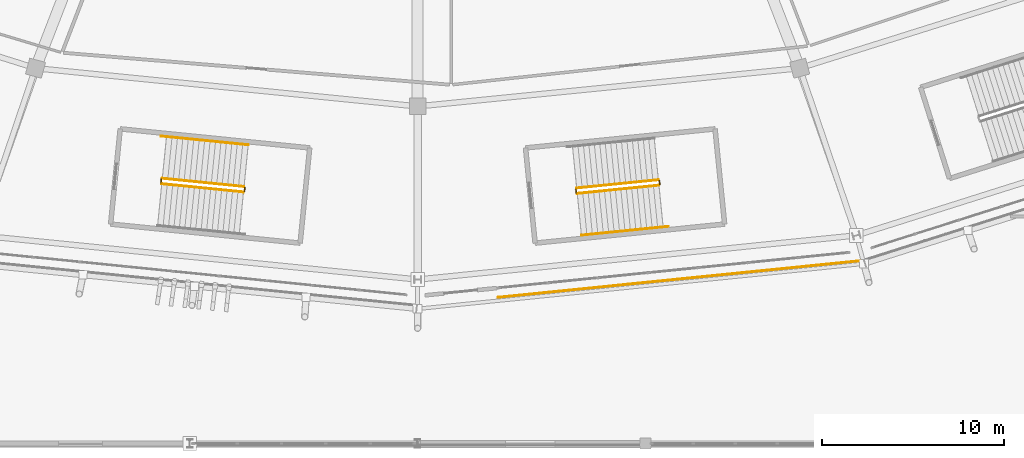
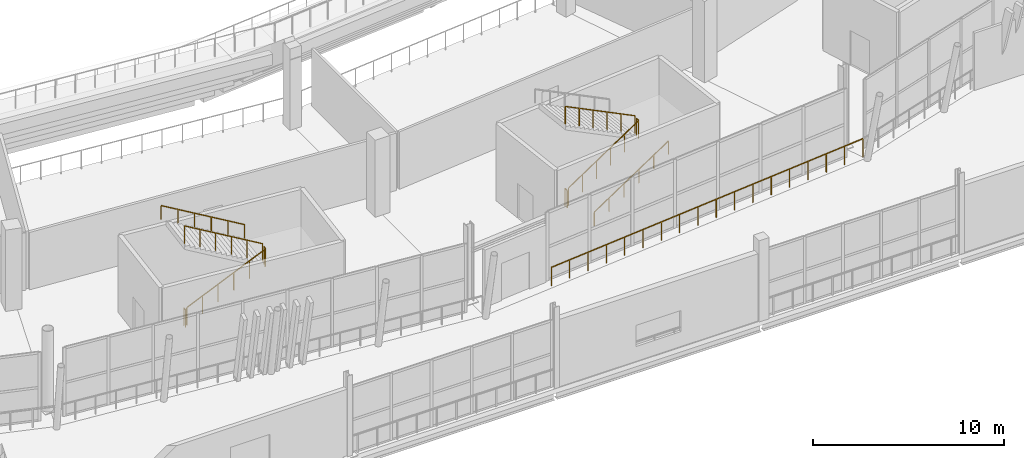
# One storey, part 149 of 178: 11 railings.
"""IFC4 building model written with IfcOpenShell, lengths in metres."""

from ifc_helpers import new_model, si_unit, direction, frame, origin, origin_2d, place, context, subcontext, project, spatial, rectangle, extrude, material, type_object, element, save


model = new_model("IFC4")

# Units and contexts
model_context = context("Model", 3, precision=1e-05, world=origin(), true_north=direction((0.0, 1.0)))
body_context = subcontext(model_context, "Body", "Model", "MODEL_VIEW")
ifc_project = project(units=[si_unit("LENGTHUNIT", "METRE"), si_unit("AREAUNIT", "SQUARE_METRE"), si_unit("VOLUMEUNIT", "CUBIC_METRE"), si_unit("PLANEANGLEUNIT", "RADIAN"), si_unit("MASSUNIT", "GRAM", prefix="KILO")], contexts=[model_context])

# Site, building, storey
site_placement = place(None, origin())
site = spatial("IfcSite", under=ifc_project, at=site_placement, CompositionType="ELEMENT")
building_placement = place(site_placement, origin())
building = spatial("IfcBuilding", under=site, at=building_placement, Name="Zlatoyarsky Gate Stadium", CompositionType="ELEMENT")
storey_placement = place(building_placement, frame((0.0, 0.0, 5.39990234375)))
storey = spatial("IfcBuildingStorey", under=building, at=storey_placement, Name="L01", CompositionType="ELEMENT", Elevation=5.39990234375)

# Railings
ifc_material_1 = material(Name="Powder-coated steel tubular guardrail", Category="steel")
railing_type_1 = type_object("IfcRailingType", Name="CONCOURSE SLAB EDGE GUARDRAIL 1200", PredefinedType="GUARDRAIL", material=ifc_material_1)
railing_1_placement = place(storey_placement, frame((115.427490234375, 8.0185546875, 0.0)))
element("IfcRailing", 1, at=railing_1_placement, inside=storey, type_object=railing_type_1, Name="L01 outer slab edge guardrail 18", PredefinedType="GUARDRAIL", context=body_context, shape_type="SweptSolid", body=[
    extrude(rectangle(XDim=0.048095703125, YDim=0.048095703125, at=origin_2d()), frame((0.0, 0.0, 1.17578125), z_axis=(0.994940706769, 0.100463874174, 0.0), x_axis=(-0.100463874174, 0.994940706769, 0.0)), (0.0, 0.0, 1.0), 20.1142578125),
    extrude(rectangle(XDim=0.0419921875, YDim=0.0419921875, at=origin_2d()), origin(), (0.0, 0.0, 1.0), 1.15185546875),
    extrude(rectangle(XDim=0.0419921875, YDim=0.0419921875, at=origin_2d()), frame((1.17724609375, 0.118896484375, 0.0)), (0.0, 0.0, 1.0), 1.15185546875),
    extrude(rectangle(XDim=0.0419921875, YDim=0.0419921875, at=origin_2d()), frame((2.3544921875, 0.23779296875, 0.0)), (0.0, 0.0, 1.0), 1.15185546875),
    extrude(rectangle(XDim=0.0419921875, YDim=0.0419921875, at=origin_2d()), frame((3.531494140625, 0.356689453125, 0.0)), (0.0, 0.0, 1.0), 1.15185546875),
    extrude(rectangle(XDim=0.0419921875, YDim=0.0419921875, at=origin_2d()), frame((4.708740234375, 0.4755859375, 0.0)), (0.0, 0.0, 1.0), 1.15185546875),
    extrude(rectangle(XDim=0.0419921875, YDim=0.0419921875, at=origin_2d()), frame((5.885986328125, 0.59423828125, 0.0)), (0.0, 0.0, 1.0), 1.15185546875),
    extrude(rectangle(XDim=0.0419921875, YDim=0.0419921875, at=origin_2d()), frame((7.063232421875, 0.713134765625, 0.0)), (0.0, 0.0, 1.0), 1.15185546875),
    extrude(rectangle(XDim=0.0419921875, YDim=0.0419921875, at=origin_2d()), frame((8.240478515625, 0.83203125, 0.0)), (0.0, 0.0, 1.0), 1.15185546875),
    extrude(rectangle(XDim=0.0419921875, YDim=0.0419921875, at=origin_2d()), frame((9.417724609375, 0.950927734375, 0.0)), (0.0, 0.0, 1.0), 1.15185546875),
    extrude(rectangle(XDim=0.0419921875, YDim=0.0419921875, at=origin_2d()), frame((10.5947265625, 1.06982421875, 0.0)), (0.0, 0.0, 1.0), 1.15185546875),
    extrude(rectangle(XDim=0.0419921875, YDim=0.0419921875, at=origin_2d()), frame((11.77197265625, 1.188720703125, 0.0)), (0.0, 0.0, 1.0), 1.15185546875),
    extrude(rectangle(XDim=0.0419921875, YDim=0.0419921875, at=origin_2d()), frame((12.94921875, 1.3076171875, 0.0)), (0.0, 0.0, 1.0), 1.15185546875),
    extrude(rectangle(XDim=0.0419921875, YDim=0.0419921875, at=origin_2d()), frame((14.12646484375, 1.426513671875, 0.0)), (0.0, 0.0, 1.0), 1.15185546875),
    extrude(rectangle(XDim=0.0419921875, YDim=0.0419921875, at=origin_2d()), frame((15.3037109375, 1.545166015625, 0.0)), (0.0, 0.0, 1.0), 1.15185546875),
    extrude(rectangle(XDim=0.0419921875, YDim=0.0419921875, at=origin_2d()), frame((16.48095703125, 1.6640625, 0.0)), (0.0, 0.0, 1.0), 1.15185546875),
    extrude(rectangle(XDim=0.0419921875, YDim=0.0419921875, at=origin_2d()), frame((17.657958984375, 1.782958984375, 0.0)), (0.0, 0.0, 1.0), 1.15185546875),
    extrude(rectangle(XDim=0.0419921875, YDim=0.0419921875, at=origin_2d()), frame((18.835205078125, 1.90185546875, 0.0)), (0.0, 0.0, 1.0), 1.15185546875),
    extrude(rectangle(XDim=0.0419921875, YDim=0.0419921875, at=origin_2d()), frame((20.012451171875, 2.020751953125, 0.0)), (0.0, 0.0, 1.0), 1.15185546875),
])
ifc_material_2 = material(Name="Powder-coated steel stair guardrail", Category="steel")
railing_type_2 = type_object("IfcRailingType", Name="PAINTED STEEL STAIR WELL GUARDRAIL 1150", PredefinedType="GUARDRAIL", material=ifc_material_2)
railing_2_placement = place(storey_placement, frame((119.760986328125, 13.717529296875, 0.16259765625)))
element("IfcRailing", 2, at=railing_2_placement, inside=storey, type_object=railing_type_2, Name="ST-10 L01 stair guard 1", PredefinedType="GUARDRAIL", context=body_context, shape_type="SweptSolid", body=[
    extrude(rectangle(XDim=0.048095703125, YDim=0.048095703125, at=origin_2d()), frame((0.0, 0.0, 1.1259765625), z_axis=(0.874889575762, 0.087918292701, 0.47627576469), x_axis=(-0.099987144365, 0.994988729063, 0.0)), (0.0, 0.0, 1.0), 5.117919921875),
    extrude(rectangle(XDim=0.0419921875, YDim=0.0419921875, at=origin_2d()), origin(), (0.0, 0.0, 1.0), 1.101806640625),
    extrude(rectangle(XDim=0.0419921875, YDim=0.0419921875, at=origin_2d()), frame((0.8955078125, 0.090087890625, 0.487548828125)), (0.0, 0.0, 1.0), 1.101806640625),
    extrude(rectangle(XDim=0.0419921875, YDim=0.0419921875, at=origin_2d()), frame((1.791015625, 0.179931640625, 0.97509765625)), (0.0, 0.0, 1.0), 1.101806640625),
    extrude(rectangle(XDim=0.0419921875, YDim=0.0419921875, at=origin_2d()), frame((2.6865234375, 0.27001953125, 1.46240234375)), (0.0, 0.0, 1.0), 1.101806640625),
    extrude(rectangle(XDim=0.0419921875, YDim=0.0419921875, at=origin_2d()), frame((3.58203125, 0.35986328125, 1.949951171875)), (0.0, 0.0, 1.0), 1.101806640625),
    extrude(rectangle(XDim=0.0419921875, YDim=0.0419921875, at=origin_2d()), frame((4.4775390625, 0.449951171875, 2.4375)), (0.0, 0.0, 1.0), 1.101806640625),
])
railing_3_placement = place(storey_placement, frame((124.283203125, 14.22216796875, 2.60009765625)))
element("IfcRailing", 3, at=railing_3_placement, inside=storey, type_object=railing_type_2, Name="ST-10 L01 stair guard 2", PredefinedType="GUARDRAIL", context=body_context, shape_type="SweptSolid", body=[
    extrude(rectangle(XDim=0.048095703125, YDim=0.048095703125, at=origin_2d()), frame((0.0, 0.0, 1.1259765625), z_axis=(-0.100108072026, 0.994976569531, 0.0), x_axis=(-0.994976569531, -0.100108072026, 0.0)), (0.0, 0.0, 1.0), 0.199951171875),
    extrude(rectangle(XDim=0.0419921875, YDim=0.0419921875, at=origin_2d()), origin(), (0.0, 0.0, 1.0), 1.101806640625),
    extrude(rectangle(XDim=0.0419921875, YDim=0.0419921875, at=origin_2d()), frame((-0.02001953125, 0.198974609375, 0.0)), (0.0, 0.0, 1.0), 1.101806640625),
])
railing_4_placement = place(storey_placement, frame((124.20849609375, 14.466064453125, 2.7626953125)))
element("IfcRailing", 4, at=railing_4_placement, inside=storey, type_object=railing_type_2, Name="ST-10 L01 stair guard 3", PredefinedType="GUARDRAIL", context=body_context, shape_type="SweptSolid", body=[
    extrude(rectangle(XDim=0.048095703125, YDim=0.048095703125, at=origin_2d()), frame((0.0, 0.0, 1.1259765625), z_axis=(-0.874874714683, -0.087969298974, 0.476293644768), x_axis=(0.100046254416, -0.994982787277, 0.0)), (0.0, 0.0, 1.0), 5.11767578125),
    extrude(rectangle(XDim=0.0419921875, YDim=0.0419921875, at=origin_2d()), origin(), (0.0, 0.0, 1.0), 1.101806640625),
    extrude(rectangle(XDim=0.0419921875, YDim=0.0419921875, at=origin_2d()), frame((-0.8955078125, -0.090087890625, 0.487548828125)), (0.0, 0.0, 1.0), 1.101806640625),
    extrude(rectangle(XDim=0.0419921875, YDim=0.0419921875, at=origin_2d()), frame((-1.791015625, -0.18017578125, 0.97509765625)), (0.0, 0.0, 1.0), 1.101806640625),
    extrude(rectangle(XDim=0.0419921875, YDim=0.0419921875, at=origin_2d()), frame((-2.686279296875, -0.27001953125, 1.46240234375)), (0.0, 0.0, 1.0), 1.101806640625),
    extrude(rectangle(XDim=0.0419921875, YDim=0.0419921875, at=origin_2d()), frame((-3.581787109375, -0.360107421875, 1.949951171875)), (0.0, 0.0, 1.0), 1.101806640625),
    extrude(rectangle(XDim=0.0419921875, YDim=0.0419921875, at=origin_2d()), frame((-4.477294921875, -0.4501953125, 2.4375)), (0.0, 0.0, 1.0), 1.101806640625),
])
railing_5_placement = place(storey_placement, frame((119.706298828125, 13.76220703125, 0.0)))
element("IfcRailing", 5, at=railing_5_placement, inside=storey, type_object=railing_type_2, Name="ST-10 L01 stair guard 4", PredefinedType="GUARDRAIL", context=body_context, shape_type="SweptSolid", body=[
    extrude(rectangle(XDim=0.048095703125, YDim=0.048095703125, at=origin_2d()), frame((0.0, 0.0, 1.1259765625), z_axis=(-0.100108072026, 0.994976569531, 0.0), x_axis=(-0.994976569531, -0.100108072026, 0.0)), (0.0, 0.0, 1.0), 0.199951171875),
    extrude(rectangle(XDim=0.0419921875, YDim=0.0419921875, at=origin_2d()), origin(), (0.0, 0.0, 1.0), 1.101806640625),
    extrude(rectangle(XDim=0.0419921875, YDim=0.0419921875, at=origin_2d()), frame((-0.02001953125, 0.198974609375, 0.0)), (0.0, 0.0, 1.0), 1.101806640625),
])
railing_6_placement = place(storey_placement, frame((96.96533203125, 14.247314453125, 0.16259765625)))
element("IfcRailing", 6, at=railing_6_placement, inside=storey, type_object=railing_type_2, Name="ST-19 L01 stair guard 1", PredefinedType="GUARDRAIL", context=body_context, shape_type="SweptSolid", body=[
    extrude(rectangle(XDim=0.048095703125, YDim=0.048095703125, at=origin_2d()), frame((0.0, 0.0, 1.1259765625), z_axis=(0.874889575762, -0.087918292701, 0.47627576469), x_axis=(0.099987144365, 0.994988729063, 0.0)), (0.0, 0.0, 1.0), 5.117919921875),
    extrude(rectangle(XDim=0.0419921875, YDim=0.0419921875, at=origin_2d()), origin(), (0.0, 0.0, 1.0), 1.101806640625),
    extrude(rectangle(XDim=0.0419921875, YDim=0.0419921875, at=origin_2d()), frame((0.8955078125, -0.090087890625, 0.487548828125)), (0.0, 0.0, 1.0), 1.101806640625),
    extrude(rectangle(XDim=0.0419921875, YDim=0.0419921875, at=origin_2d()), frame((1.791015625, -0.179931640625, 0.97509765625)), (0.0, 0.0, 1.0), 1.101806640625),
    extrude(rectangle(XDim=0.0419921875, YDim=0.0419921875, at=origin_2d()), frame((2.6865234375, -0.27001953125, 1.46240234375)), (0.0, 0.0, 1.0), 1.101806640625),
    extrude(rectangle(XDim=0.0419921875, YDim=0.0419921875, at=origin_2d()), frame((3.58203125, -0.35986328125, 1.949951171875)), (0.0, 0.0, 1.0), 1.101806640625),
    extrude(rectangle(XDim=0.0419921875, YDim=0.0419921875, at=origin_2d()), frame((4.4775390625, -0.449951171875, 2.4375)), (0.0, 0.0, 1.0), 1.101806640625),
])
railing_7_placement = place(storey_placement, frame((101.49755859375, 13.842041015625, 2.60009765625)))
element("IfcRailing", 7, at=railing_7_placement, inside=storey, type_object=railing_type_2, Name="ST-19 L01 stair guard 2", PredefinedType="GUARDRAIL", context=body_context, shape_type="SweptSolid", body=[
    extrude(rectangle(XDim=0.048095703125, YDim=0.048095703125, at=origin_2d()), frame((0.0, 0.0, 1.1259765625), z_axis=(0.100108072026, 0.994976569531, 0.0), x_axis=(-0.994976569531, 0.100108072026, 0.0)), (0.0, 0.0, 1.0), 0.199951171875),
    extrude(rectangle(XDim=0.0419921875, YDim=0.0419921875, at=origin_2d()), origin(), (0.0, 0.0, 1.0), 1.101806640625),
    extrude(rectangle(XDim=0.0419921875, YDim=0.0419921875, at=origin_2d()), frame((0.02001953125, 0.198974609375, 0.0)), (0.0, 0.0, 1.0), 1.101806640625),
])
railing_8_placement = place(storey_placement, frame((101.472900390625, 14.095947265625, 2.7626953125)))
element("IfcRailing", 8, at=railing_8_placement, inside=storey, type_object=railing_type_2, Name="ST-19 L01 stair guard 3", PredefinedType="GUARDRAIL", context=body_context, shape_type="SweptSolid", body=[
    extrude(rectangle(XDim=0.048095703125, YDim=0.048095703125, at=origin_2d()), frame((0.0, 0.0, 1.1259765625), z_axis=(-0.874889575762, 0.087918292701, 0.47627576469), x_axis=(-0.099987144365, -0.994988729063, 0.0)), (0.0, 0.0, 1.0), 5.117919921875),
    extrude(rectangle(XDim=0.0419921875, YDim=0.0419921875, at=origin_2d()), origin(), (0.0, 0.0, 1.0), 1.101806640625),
    extrude(rectangle(XDim=0.0419921875, YDim=0.0419921875, at=origin_2d()), frame((-0.8955078125, 0.090087890625, 0.487548828125)), (0.0, 0.0, 1.0), 1.101806640625),
    extrude(rectangle(XDim=0.0419921875, YDim=0.0419921875, at=origin_2d()), frame((-1.791015625, 0.179931640625, 0.97509765625)), (0.0, 0.0, 1.0), 1.101806640625),
    extrude(rectangle(XDim=0.0419921875, YDim=0.0419921875, at=origin_2d()), frame((-2.6865234375, 0.27001953125, 1.46240234375)), (0.0, 0.0, 1.0), 1.101806640625),
    extrude(rectangle(XDim=0.0419921875, YDim=0.0419921875, at=origin_2d()), frame((-3.58203125, 0.35986328125, 1.949951171875)), (0.0, 0.0, 1.0), 1.101806640625),
    extrude(rectangle(XDim=0.0419921875, YDim=0.0419921875, at=origin_2d()), frame((-4.4775390625, 0.449951171875, 2.4375)), (0.0, 0.0, 1.0), 1.101806640625),
])
railing_9_placement = place(storey_placement, frame((96.920654296875, 14.30224609375, 0.0)))
element("IfcRailing", 9, at=railing_9_placement, inside=storey, type_object=railing_type_2, Name="ST-19 L01 stair guard 4", PredefinedType="GUARDRAIL", context=body_context, shape_type="SweptSolid", body=[
    extrude(rectangle(XDim=0.048095703125, YDim=0.048095703125, at=origin_2d()), frame((0.0, 0.0, 1.1259765625), z_axis=(0.100108072026, 0.994976569531, 0.0), x_axis=(-0.994976569531, 0.100108072026, 0.0)), (0.0, 0.0, 1.0), 0.199951171875),
    extrude(rectangle(XDim=0.0419921875, YDim=0.0419921875, at=origin_2d()), origin(), (0.0, 0.0, 1.0), 1.101806640625),
    extrude(rectangle(XDim=0.0419921875, YDim=0.0419921875, at=origin_2d()), frame((0.02001953125, 0.198974609375, 0.0)), (0.0, 0.0, 1.0), 1.101806640625),
])
ifc_material_3 = material(Name="Brushed stainless steel 316 handrail", Category="steel")
railing_type_3 = type_object("IfcRailingType", Name="STAINLESS STEEL TUBULAR HANDRAIL 900", PredefinedType="HANDRAIL", material=ifc_material_3)
railing_10_placement = place(storey_placement, frame((119.9912109375, 11.428955078125, 0.16650390625)))
element("IfcRailing", 10, at=railing_10_placement, inside=storey, type_object=railing_type_3, Name="ST-10 L01 stair handrail 1", PredefinedType="HANDRAIL", context=body_context, shape_type="SweptSolid", body=[
    extrude(rectangle(XDim=0.048095703125, YDim=0.048095703125, at=origin_2d()), frame((0.0, 0.0, 0.8759765625), z_axis=(0.874874668659, 0.08792575394, 0.47630176982), x_axis=(-0.099997231792, 0.994987715318, 0.0)), (0.0, 0.0, 1.0), 5.458984375),
    extrude(rectangle(XDim=0.0419921875, YDim=0.0419921875, at=origin_2d()), origin(), (0.0, 0.0, 1.0), 0.851806640625),
    extrude(rectangle(XDim=0.0419921875, YDim=0.0419921875, at=origin_2d()), frame((0.955078125, 0.095947265625, 0.52001953125)), (0.0, 0.0, 1.0), 0.851806640625),
    extrude(rectangle(XDim=0.0419921875, YDim=0.0419921875, at=origin_2d()), frame((1.910400390625, 0.19189453125, 1.0400390625)), (0.0, 0.0, 1.0), 0.851806640625),
    extrude(rectangle(XDim=0.0419921875, YDim=0.0419921875, at=origin_2d()), frame((2.865478515625, 0.2880859375, 1.56005859375)), (0.0, 0.0, 1.0), 0.851806640625),
    extrude(rectangle(XDim=0.0419921875, YDim=0.0419921875, at=origin_2d()), frame((3.82080078125, 0.384033203125, 2.080078125)), (0.0, 0.0, 1.0), 0.851806640625),
    extrude(rectangle(XDim=0.0419921875, YDim=0.0419921875, at=origin_2d()), frame((4.77587890625, 0.47998046875, 2.60009765625)), (0.0, 0.0, 1.0), 0.851806640625),
])
railing_11_placement = place(storey_placement, frame((101.702880859375, 16.38427734375, 2.7666015625)))
element("IfcRailing", 11, at=railing_11_placement, inside=storey, type_object=railing_type_3, Name="ST-19 L01 stair handrail 2", PredefinedType="HANDRAIL", context=body_context, shape_type="SweptSolid", body=[
    extrude(rectangle(XDim=0.048095703125, YDim=0.048095703125, at=origin_2d()), frame((0.0, 0.0, 0.8759765625), z_axis=(-0.874874668659, 0.08792575394, 0.47630176982), x_axis=(-0.099997231792, -0.994987715318, 0.0)), (0.0, 0.0, 1.0), 5.458984375),
    extrude(rectangle(XDim=0.0419921875, YDim=0.0419921875, at=origin_2d()), origin(), (0.0, 0.0, 1.0), 0.851806640625),
    extrude(rectangle(XDim=0.0419921875, YDim=0.0419921875, at=origin_2d()), frame((-0.955078125, 0.095947265625, 0.52001953125)), (0.0, 0.0, 1.0), 0.851806640625),
    extrude(rectangle(XDim=0.0419921875, YDim=0.0419921875, at=origin_2d()), frame((-1.910400390625, 0.19189453125, 1.0400390625)), (0.0, 0.0, 1.0), 0.851806640625),
    extrude(rectangle(XDim=0.0419921875, YDim=0.0419921875, at=origin_2d()), frame((-2.865478515625, 0.2880859375, 1.56005859375)), (0.0, 0.0, 1.0), 0.851806640625),
    extrude(rectangle(XDim=0.0419921875, YDim=0.0419921875, at=origin_2d()), frame((-3.82080078125, 0.384033203125, 2.080078125)), (0.0, 0.0, 1.0), 0.851806640625),
    extrude(rectangle(XDim=0.0419921875, YDim=0.0419921875, at=origin_2d()), frame((-4.77587890625, 0.47998046875, 2.60009765625)), (0.0, 0.0, 1.0), 0.851806640625),
])

save(model, "model.ifc")
